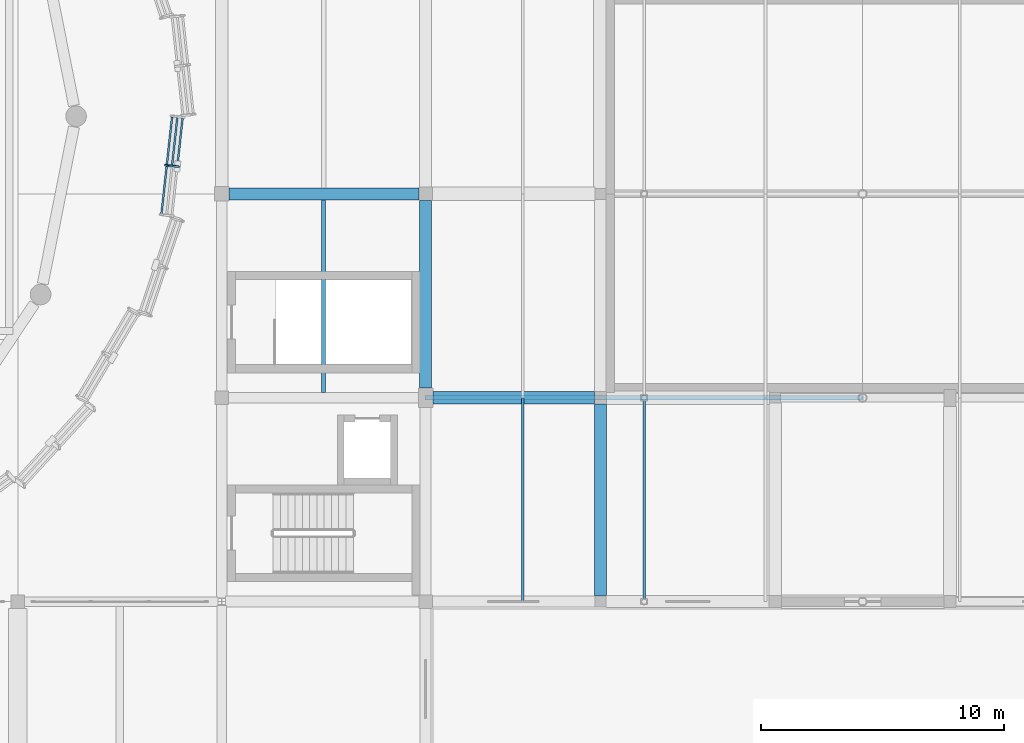
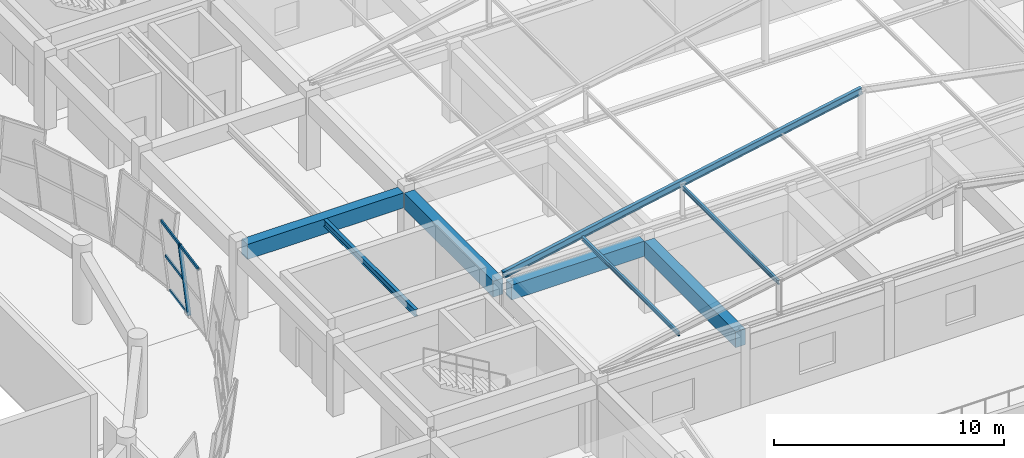
# One storey, part 29 of 74: 8 members, 5 beams, 1 element without a shape of its own.
"""IFC4 building model written with IfcOpenShell, lengths in metres."""

from ifc_helpers import new_model, si_unit, direction, frame, origin, origin_2d, place, context, subcontext, project, spatial, rectangle, hollow_rectangle, i_section, extrude, material, material_profile, profile_set, type_object, element, aggregate, save


model = new_model("IFC4")

# Units and contexts
model_context = context("Model", 3, precision=1e-05, world=origin(), true_north=direction((0.0, 1.0)))
body_context = subcontext(model_context, "Body", "Model", "MODEL_VIEW")
ifc_project = project(units=[si_unit("LENGTHUNIT", "METRE"), si_unit("AREAUNIT", "SQUARE_METRE"), si_unit("VOLUMEUNIT", "CUBIC_METRE"), si_unit("PLANEANGLEUNIT", "RADIAN"), si_unit("MASSUNIT", "GRAM", prefix="KILO")], contexts=[model_context])

# Site, building, storey
site_placement = place(None, origin())
site = spatial("IfcSite", under=ifc_project, at=site_placement, CompositionType="ELEMENT")
building_placement = place(site_placement, origin())
building = spatial("IfcBuilding", under=site, at=building_placement, Name="Korsvaeld Concert Hall", CompositionType="ELEMENT")
storey_placement = place(building_placement, frame((0.0, 0.0, 9.0)))
storey = spatial("IfcBuildingStorey", under=building, at=storey_placement, Name="L02", CompositionType="ELEMENT", Elevation=9.0)

# Beams
ifc_material_1 = material(Name="Concrete C40/50", Category="concrete")
ifc_material_profile_1 = material_profile(ifc_material_1, rectangle(XDim=0.5, YDim=0.800048828125, at=origin_2d()), Name="RC 500x800")
ifc_profile_set_1 = profile_set([ifc_material_profile_1], Name="Concrete C40/50")
beam_type_1 = type_object("IfcBeamType", Name="BM-RC-500x800", PredefinedType="T_BEAM", material=ifc_profile_set_1)
beam_1_placement = place(storey_placement, frame((117.89990234375, 51.60009765625, 3.43994140625), z_axis=(1.0, 0.0, 0.0), x_axis=(0.0, 1.0, 0.0)))
element("IfcBeam", 1, at=beam_1_placement, inside=storey, type_object=beam_type_1, Name="Primary girder 16-17/H L02", PredefinedType="T_BEAM", context=body_context, shape_type="SweptSolid", body=[
    extrude(rectangle(XDim=0.5, YDim=0.800048828125, at=origin_2d()), origin(), (0.0, 0.0, 1.0), 6.650146484375),
])
beam_2_placement = place(storey_placement, frame((109.5, 60.0, 3.43994140625), z_axis=(1.0, 0.0, 0.0), x_axis=(0.0, 1.0, 0.0)))
element("IfcBeam", 2, at=beam_2_placement, inside=storey, type_object=beam_type_1, Name="Primary girder 15-16/J L02", PredefinedType="T_BEAM", context=body_context, shape_type="SweptSolid", body=[
    extrude(rectangle(XDim=0.5, YDim=0.800048828125, at=origin_2d()), origin(), (0.0, 0.0, 1.0), 7.824951171875),
])
ifc_material_profile_2 = material_profile(ifc_material_1, rectangle(XDim=0.5, YDim=0.85009765625, at=origin_2d()), Name="RC 500x850")
ifc_profile_set_2 = profile_set([ifc_material_profile_2], Name="Concrete C40/50")
beam_type_2 = type_object("IfcBeamType", Name="BM-RC-500x850", PredefinedType="T_BEAM", material=ifc_profile_set_2)
beam_3_placement = place(storey_placement, frame((117.60009765625, 52.0, 3.4150390625), z_axis=(0.0, 1.0, 0.0), x_axis=(-1.0, 0.0, 0.0)))
element("IfcBeam", 3, at=beam_3_placement, inside=storey, type_object=beam_type_2, Name="Primary girder 16/H-J L02", PredefinedType="T_BEAM", context=body_context, shape_type="SweptSolid", body=[
    extrude(rectangle(XDim=0.5, YDim=0.85009765625, at=origin_2d()), origin(), (0.0, 0.0, 1.0), 7.72509765625),
])
beam_4_placement = place(storey_placement, frame((124.800048828125, 43.425048828125, 3.4150390625), z_axis=(0.0, 1.0, 0.0), x_axis=(-1.0, 0.0, 0.0)))
element("IfcBeam", 4, at=beam_4_placement, inside=storey, type_object=beam_type_2, Name="Primary girder 17/G-H L02", PredefinedType="T_BEAM", context=body_context, shape_type="SweptSolid", body=[
    extrude(rectangle(XDim=0.5, YDim=0.85009765625, at=origin_2d()), origin(), (0.0, 0.0, 1.0), 7.925048828125),
])
ifc_material_2 = material(Name="Steel S355J2", Category="steel")
ifc_material_profile_3 = material_profile(ifc_material_2, i_section(OverallWidth=0.169921875, OverallDepth=0.360107421875, WebThickness=0.008056640625, FlangeThickness=0.0126953125, FilletRadius=0.01806640625, at=origin_2d()), Name="IPE 360")
ifc_profile_set_3 = profile_set([ifc_material_profile_3], Name="Steel S355J2")
beam_type_3 = type_object("IfcBeamType", Name="BM-STL-IPE360", PredefinedType="BEAM", material=ifc_profile_set_3)
beam_5_placement = place(storey_placement, frame((113.39990234375, 51.824951171875, 3.659912109375), z_axis=(0.0, 1.0, 0.0), x_axis=(-1.0, 0.0, 0.0)))
element("IfcBeam", 5, at=beam_5_placement, inside=storey, type_object=beam_type_3, Name="Secondary steel floor beam 15-16/H L02", PredefinedType="BEAM", context=body_context, shape_type="SweptSolid", body=[
    extrude(i_section(OverallWidth=0.169921875, OverallDepth=0.360107421875, WebThickness=0.008056640625, FlangeThickness=0.0126953125, FilletRadius=0.01806640625, at=origin_2d()), origin(), (0.0, 0.0, 1.0), 7.925048828125),
])

# Curtain wall, members
ifc_material_3 = material(Name="Anodised bronze and ceramic-fritted safety glass", Category="glass")
curtain_wall_type = type_object("IfcCurtainWallType", Name="CW-TYPE-08", PredefinedType="USERDEFINED", material=ifc_material_3)
curtain_wall_placement = place(storey_placement, origin())
curtain_wall = element("IfcCurtainWall", 6, at=curtain_wall_placement, inside=storey, type_object=curtain_wall_type, Name="Crystal curtain-wall facet L02 F32", ObjectType="CURTAIN WALL", PredefinedType="USERDEFINED")
ifc_material_4 = material(Name="Anodised architectural bronze aluminium", Category="aluminium")
ifc_material_profile_4 = material_profile(ifc_material_4, hollow_rectangle(XDim=0.074951171875, YDim=0.179931640625, WallThickness=0.0048828125, at=origin_2d()), Name="CWM 180x75x5")
ifc_profile_set_4 = profile_set([ifc_material_profile_4], Name="Anodised architectural bronze aluminium")
member_type_1 = type_object("IfcMemberType", Name="CWM-BRONZE-180x75", PredefinedType="MULLION", material=ifc_profile_set_4)
member_1_placement = place(storey_placement, frame((107.373291015625, 61.132080078125, 0.0), z_axis=(-0.112786273449, 0.00994069705, 0.993569544151), x_axis=(0.195151320057, 0.980695499736, 0.012340951229)))
member_1 = element("IfcMember", 7, at=member_1_placement, type_object=member_type_1, Name="CW-CRYS-L02-F32 crystal mullion 2", PredefinedType="MULLION", context=body_context, shape_type="SweptSolid", body=[
    extrude(hollow_rectangle(XDim=0.074951171875, YDim=0.179931640625, WallThickness=0.0048828125, at=origin_2d()), origin(), (0.0, 0.0, 1.0), 3.905029296875),
])
ifc_material_profile_5 = material_profile(ifc_material_4, hollow_rectangle(XDim=0.074951171875, YDim=0.14990234375, WallThickness=0.0048828125, at=origin_2d()), Name="CWT 150x75x5")
ifc_profile_set_5 = profile_set([ifc_material_profile_5], Name="Anodised architectural bronze aluminium")
member_type_2 = type_object("IfcMemberType", Name="CWT-BRONZE-150x75", PredefinedType="USERDEFINED", material=ifc_profile_set_5)
member_2_placement = place(storey_placement, frame((106.7177734375, 59.17724609375, 3.85009765625), z_axis=(0.108920048755, 0.994050513294, 0.0), x_axis=(-0.994050513294, 0.108920048755, 0.0)))
member_2 = element("IfcMember", 8, at=member_2_placement, type_object=member_type_2, Name="CW-CRYS-L02-F32 crystal transom 1.3", ObjectType="TRANSOM", PredefinedType="USERDEFINED", context=body_context, shape_type="SweptSolid", body=[
    extrude(hollow_rectangle(XDim=0.074951171875, YDim=0.14990234375, WallThickness=0.0048828125, at=origin_2d()), origin(), (0.0, 0.0, 1.0), 1.968017578125),
])
member_3_placement = place(storey_placement, frame((107.3740234375, 61.169677734375, 0.030029296875), z_axis=(0.108933482058, 0.994049041289, 0.0), x_axis=(-0.994049041289, 0.108933482058, 0.0)))
member_3 = element("IfcMember", 9, at=member_3_placement, type_object=member_type_2, Name="CW-CRYS-L02-F32 crystal transom 2.1", ObjectType="TRANSOM", PredefinedType="USERDEFINED", context=body_context, shape_type="SweptSolid", body=[
    extrude(hollow_rectangle(XDim=0.074951171875, YDim=0.14990234375, WallThickness=0.0048828125, at=origin_2d()), origin(), (0.0, 0.0, 1.0), 1.9677734375),
])
member_4_placement = place(storey_placement, frame((107.1572265625, 61.188720703125, 1.93994140625), z_axis=(0.108920048755, 0.994050513294, 0.0), x_axis=(-0.994050513294, 0.108920048755, 0.0)))
member_4 = element("IfcMember", 10, at=member_4_placement, type_object=member_type_2, Name="CW-CRYS-L02-F32 crystal transom 2.2", ObjectType="TRANSOM", PredefinedType="USERDEFINED", context=body_context, shape_type="SweptSolid", body=[
    extrude(hollow_rectangle(XDim=0.074951171875, YDim=0.14990234375, WallThickness=0.0048828125, at=origin_2d()), origin(), (0.0, 0.0, 1.0), 1.968017578125),
])
member_5_placement = place(storey_placement, frame((106.9404296875, 61.2080078125, 3.85009765625), z_axis=(0.108933482058, 0.994049041289, 0.0), x_axis=(-0.994049041289, 0.108933482058, 0.0)))
member_5 = element("IfcMember", 11, at=member_5_placement, type_object=member_type_2, Name="CW-CRYS-L02-F32 crystal transom 2.3", ObjectType="TRANSOM", PredefinedType="USERDEFINED", context=body_context, shape_type="SweptSolid", body=[
    extrude(hollow_rectangle(XDim=0.074951171875, YDim=0.14990234375, WallThickness=0.0048828125, at=origin_2d()), origin(), (0.0, 0.0, 1.0), 1.9677734375),
])
aggregate(curtain_wall, [member_1, member_2, member_3, member_4, member_5])

# Members
ifc_material_profile_6 = material_profile(ifc_material_2, i_section(OverallWidth=0.110107421875, OverallDepth=0.219970703125, WebThickness=0.005859375, FlangeThickness=0.00927734375, FilletRadius=0.011962890625, at=origin_2d()), Name="IPE 220")
ifc_profile_set_6 = profile_set([ifc_material_profile_6], Name="Steel S355J2")
member_type_3 = type_object("IfcMemberType", Name="MEM-PUR-IPE220", PredefinedType="PURLIN", material=ifc_profile_set_6)
for number, where, z_axis, x_axis, name in (
    (12, (121.60009765625, 43.199951171875, 4.89990234375), (0.0, 1.0, 0.0), (-1.0, 0.0, 0.0), "Chamber Hall roof purlin 121.1"),
    (13, (126.60009765625, 43.199951171875, 5.8798828125), (0.0, 1.0, 0.0), (-1.0, 0.0, 0.0), "Chamber Hall roof purlin 126.1"),
):
    element("IfcMember", number, at=place(storey_placement, frame(where, z_axis=z_axis, x_axis=x_axis)), inside=storey, type_object=member_type_3, Name=name, PredefinedType="PURLIN", context=body_context, shape_type="SweptSolid", body=[
        extrude(i_section(OverallWidth=0.110107421875, OverallDepth=0.219970703125, WebThickness=0.005859375, FlangeThickness=0.00927734375, FilletRadius=0.011962890625, at=origin_2d()), origin(), (0.0, 0.0, 1.0), 8.400146484375),
    ])
ifc_material_profile_7 = material_profile(ifc_material_2, i_section(OverallWidth=0.169921875, OverallDepth=0.360107421875, WebThickness=0.008056640625, FlangeThickness=0.0126953125, FilletRadius=0.01806640625, at=origin_2d()), Name="IPE 360")
ifc_profile_set_7 = profile_set([ifc_material_profile_7], Name="Steel S355J2")
member_type_4 = type_object("IfcMemberType", Name="MEM-RAF-IPE360", PredefinedType="RAFTER", material=ifc_profile_set_7)
member_6_placement = place(storey_placement, frame((117.60009765625, 51.60009765625, 4.35009765625), z_axis=(0.981615389669, 0.0, 0.190869659102), x_axis=(0.0, 1.0, 0.0)))
element("IfcMember", 14, at=member_6_placement, inside=storey, type_object=member_type_4, Name="Chamber Hall west pitched rafter 2", PredefinedType="RAFTER", context=body_context, shape_type="SweptSolid", body=[
    extrude(i_section(OverallWidth=0.169921875, OverallDepth=0.360107421875, WebThickness=0.008056640625, FlangeThickness=0.0126953125, FilletRadius=0.01806640625, at=origin_2d()), origin(), (0.0, 0.0, 1.0), 18.337158203125),
])

save(model, "model.ifc")
